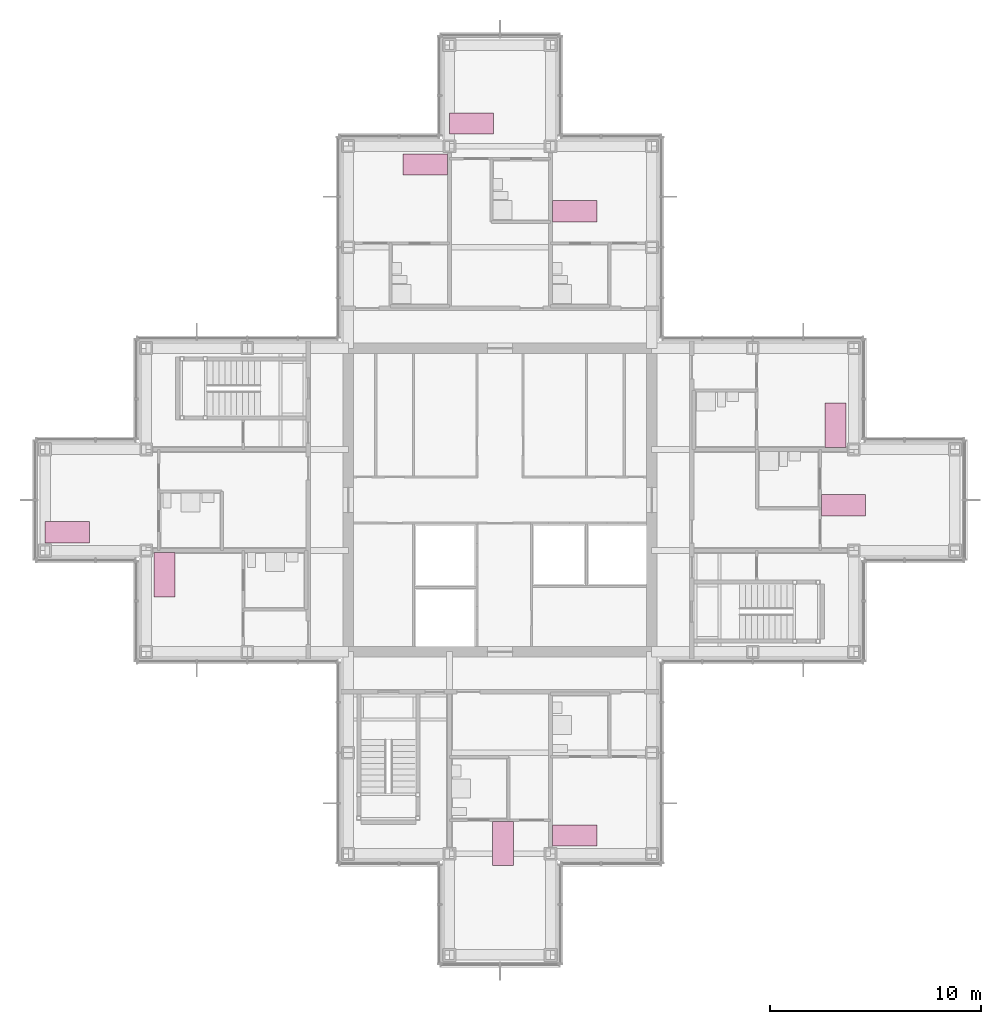
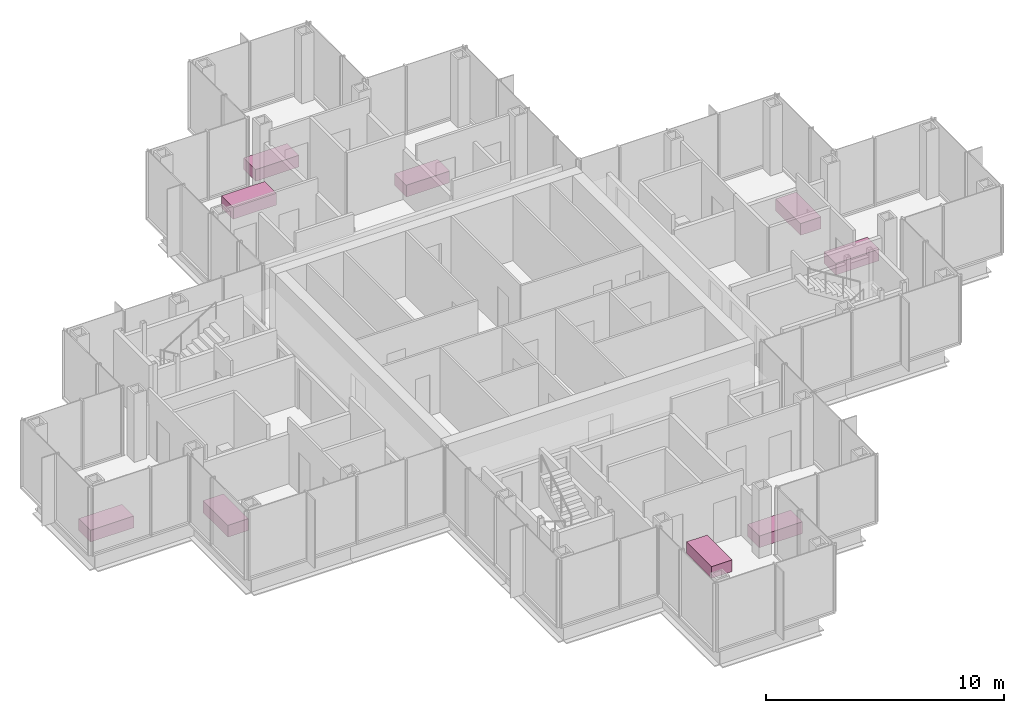
# One storey, part 17 of 17: 9 furniture elements.
"""IFC4 building model written with IfcOpenShell, lengths in metres."""

from ifc_helpers import new_model, si_unit, direction, frame, origin, origin_2d, place, context, subcontext, project, spatial, rectangle, extrude, material, type_object, element, save


model = new_model("IFC4")

# Units and contexts
model_context = context("Model", 3, precision=1e-05, world=origin(), true_north=direction((0.0, 1.0)))
body_context = subcontext(model_context, "Body", "Model", "MODEL_VIEW")
ifc_project = project(units=[si_unit("LENGTHUNIT", "METRE"), si_unit("AREAUNIT", "SQUARE_METRE"), si_unit("VOLUMEUNIT", "CUBIC_METRE"), si_unit("PLANEANGLEUNIT", "RADIAN"), si_unit("MASSUNIT", "GRAM", prefix="KILO")], contexts=[model_context])

# Site, building, storey
site_placement = place(None, origin())
site = spatial("IfcSite", under=ifc_project, at=site_placement, CompositionType="ELEMENT")
building_placement = place(site_placement, origin())
building = spatial("IfcBuilding", under=site, at=building_placement, Name="Kvirike Care Tower", CompositionType="ELEMENT")
storey_placement = place(building_placement, frame((0.0, 0.0, 176.0)))
storey = spatial("IfcBuildingStorey", under=building, at=storey_placement, Name="L48", CompositionType="ELEMENT", Elevation=176.0)

# Furniture
ifc_material = material(Name="Steel frame", Category="steel")
furniture_type = type_object("IfcFurnitureType", Name="CARE BED 1000 x 2100", AssemblyPlace="FACTORY", PredefinedType="BED", material=ifc_material)
for number, where, z_axis, x_axis, name in (
    (1, (1.052001953125, 34.469970703125, 0.0), (0.0, 0.0, 1.0), (0.0, 1.0, 0.0), "Care bed L48-005"),
    (2, (5.669921875, 32.447998046875, 0.0), (0.0, 0.0, 1.0), (1.0, 0.0, 0.0), "Care bed L48-008"),
    (3, (21.75, 19.68798828125, 0.0), (0.0, 0.0, 1.0), (1.0, 0.0, 0.0), "Care bed L48-014"),
    (4, (25.152099609375, 20.070068359375, 0.0), (0.0, 0.0, 1.0), (0.0, 1.0, 0.0), "Care bed L48-017"),
    (5, (25.152099609375, 49.7099609375, 0.0), (0.0, 0.0, 1.0), (0.0, 1.0, 0.0), "Care bed L48-021"),
    (6, (20.251953125, 53.8701171875, 0.0), (0.0, 0.0, 1.0), (0.0, 1.0, 0.0), "Care bed L48-024"),
    (7, (18.048095703125, 51.929931640625, 0.0), (0.0, 0.0, 1.0), (0.0, -1.0, 0.0), "Care bed L48-027"),
    (8, (37.912109375, 35.75, 0.0), (0.0, 0.0, 1.0), (0.0, 1.0, 0.0), "Care bed L48-034"),
    (9, (37.530029296875, 39.552001953125, 0.0), (0.0, 0.0, 1.0), (-1.0, 0.0, 0.0), "Care bed L48-037"),
):
    element("IfcFurniture", number, at=place(storey_placement, frame(where, z_axis=z_axis, x_axis=x_axis)), inside=storey, type_object=furniture_type, Name=name, PredefinedType="BED", context=body_context, shape_type="SweptSolid", body=[
        extrude(rectangle(XDim=1.0, YDim=2.10009765625, at=origin_2d()), origin(), (0.0, 0.0, 1.0), 0.60009765625),
    ])

save(model, "model.ifc")
